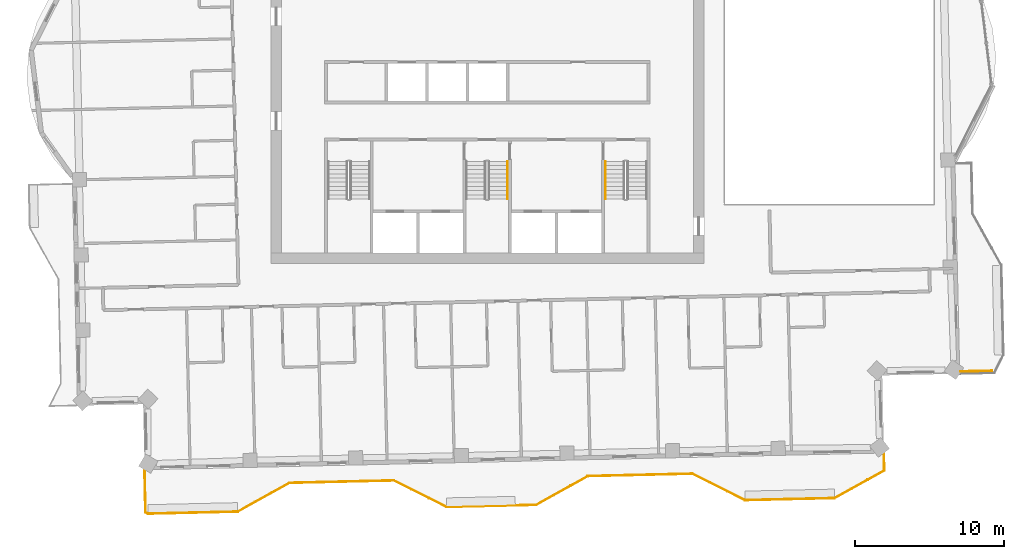
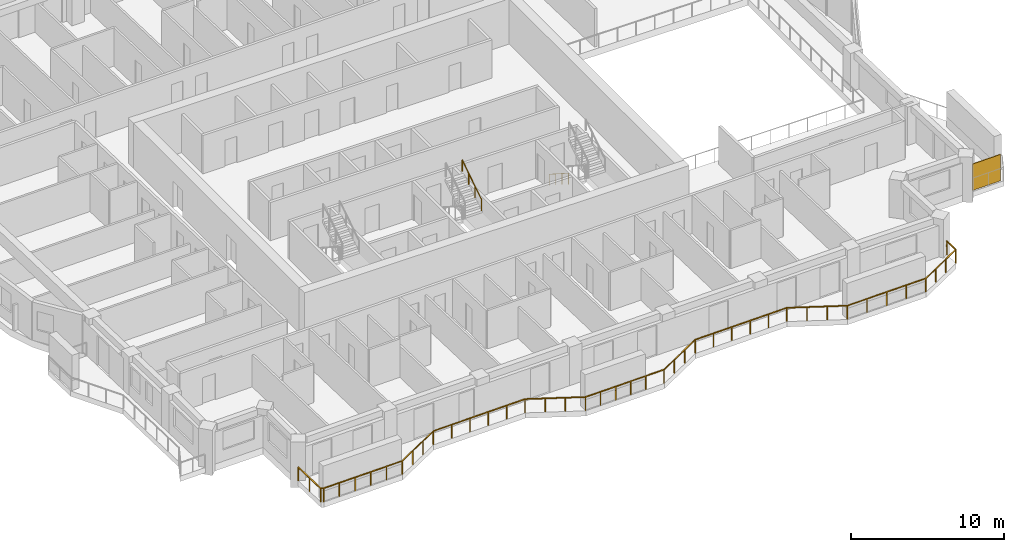
# One storey, part 17 of 19: 3 railings, 1 shading device.
"""IFC4 building model written with IfcOpenShell, lengths in metres."""

from ifc_helpers import new_model, si_unit, direction, frame, origin, origin_2d, place, context, subcontext, project, spatial, rectangle, circle, extrude, material, type_object, element, save


model = new_model("IFC4")

# Units and contexts
model_context = context("Model", 3, precision=1e-05, world=origin(), true_north=direction((0.0, 1.0)))
body_context = subcontext(model_context, "Body", "Model", "MODEL_VIEW")
ifc_project = project(units=[si_unit("LENGTHUNIT", "METRE"), si_unit("AREAUNIT", "SQUARE_METRE"), si_unit("VOLUMEUNIT", "CUBIC_METRE"), si_unit("PLANEANGLEUNIT", "RADIAN"), si_unit("MASSUNIT", "GRAM", prefix="KILO")], contexts=[model_context])

# Site, building, storey
site_placement = place(None, origin())
site = spatial("IfcSite", under=ifc_project, at=site_placement, CompositionType="ELEMENT")
building_placement = place(site_placement, origin())
building = spatial("IfcBuilding", under=site, at=building_placement, Name="Mangrove Gate Tower", CompositionType="ELEMENT")
storey_placement = place(building_placement, frame((0.0, 0.0, 297.89990234375)))
storey = spatial("IfcBuildingStorey", under=building, at=storey_placement, Name="L76", CompositionType="ELEMENT", Elevation=297.89990234375)

# Railing
ifc_material_1 = material(Name="Stainless steel grade 316 with laminated glass infill", Category="steel")
railing_type_1 = type_object("IfcRailingType", Name="Balcony guard 1100", PredefinedType="GUARDRAIL", material=ifc_material_1)
railing_1_placement = place(storey_placement, frame((-22.9619140625, -25.35400390625, 0.0)))
element("IfcRailing", 1, at=railing_1_placement, inside=storey, type_object=railing_type_1, Name="GUARD L76 S1", PredefinedType="GUARDRAIL", context=body_context, shape_type="SweptSolid", body=[
    extrude(rectangle(XDim=0.048095703125, YDim=0.048095703125, at=origin_2d()), frame((0.0, 0.0, 1.076171875), z_axis=(0.022668340677, -0.999743040151, 0.0), x_axis=(0.999743040151, 0.022668340677, 0.0)), (0.0, 0.0, 1.0), 2.82177734375),
    extrude(rectangle(XDim=0.048095703125, YDim=0.048095703125, at=origin_2d()), frame((0.06396484375, -2.821044921875, 1.076171875), z_axis=(0.894427191, -0.4472135955, 0.0), x_axis=(0.4472135955, 0.894427191, 0.0)), (0.0, 0.0, 1.0), 0.18994140625),
    extrude(rectangle(XDim=0.048095703125, YDim=0.048095703125, at=origin_2d()), frame((0.23388671875, -2.906005859375, 1.076171875), z_axis=(0.999739477659, 0.022824916448, 0.0), x_axis=(-0.022824916448, 0.999739477659, 0.0)), (0.0, 0.0, 1.0), 6.00048828125),
    extrude(rectangle(XDim=0.048095703125, YDim=0.048095703125, at=origin_2d()), frame((6.23291015625, -2.76904296875, 1.076171875), z_axis=(0.873361856081, 0.487071933437, 0.0), x_axis=(-0.487071933437, 0.873361856081, 0.0)), (0.0, 0.0, 1.0), 3.958251953125),
    extrude(rectangle(XDim=0.048095703125, YDim=0.048095703125, at=origin_2d()), frame((9.68994140625, -0.841064453125, 1.076171875), z_axis=(0.999741403216, 0.022740419861, 0.0), x_axis=(-0.022740419861, 0.999741403216, 0.0)), (0.0, 0.0, 1.0), 6.999755859375),
    extrude(rectangle(XDim=0.048095703125, YDim=0.048095703125, at=origin_2d()), frame((16.68798828125, -0.681884765625, 1.076171875), z_axis=(0.894476522376, -0.447114919141, 0.0), x_axis=(0.447114919141, 0.894476522376, 0.0)), (0.0, 0.0, 1.0), 3.958740234375),
    extrude(rectangle(XDim=0.048095703125, YDim=0.048095703125, at=origin_2d()), frame((20.22900390625, -2.451904296875, 1.076171875), z_axis=(0.999744377441, 0.022609285172, 0.0), x_axis=(-0.022609285172, 0.999744377441, 0.0)), (0.0, 0.0, 1.0), 4.60009765625),
    extrude(rectangle(XDim=0.048095703125, YDim=0.048095703125, at=origin_2d()), frame((24.827880859375, -2.347900390625, 1.076171875), z_axis=(0.999739219063, 0.022836240226, 0.0), x_axis=(-0.022836240226, 0.999739219063, 0.0)), (0.0, 0.0, 1.0), 1.400390625),
    extrude(rectangle(XDim=0.048095703125, YDim=0.048095703125, at=origin_2d()), frame((26.22802734375, -2.31591796875, 1.076171875), z_axis=(0.873242256246, 0.487286324359, 0.0), x_axis=(-0.487286324359, 0.873242256246, 0.0)), (0.0, 0.0, 1.0), 3.95849609375),
    extrude(rectangle(XDim=0.048095703125, YDim=0.048095703125, at=origin_2d()), frame((29.684814453125, -0.386962890625, 1.076171875), z_axis=(0.999742195543, 0.022705559911, 0.0), x_axis=(-0.022705559911, 0.999742195543, 0.0)), (0.0, 0.0, 1.0), 6.999755859375),
    extrude(rectangle(XDim=0.048095703125, YDim=0.048095703125, at=origin_2d()), frame((36.682861328125, -0.22802734375, 1.076171875), z_axis=(0.894476522376, -0.447114919141, 0.0), x_axis=(0.447114919141, 0.894476522376, 0.0)), (0.0, 0.0, 1.0), 3.958740234375),
    extrude(rectangle(XDim=0.048095703125, YDim=0.048095703125, at=origin_2d()), frame((40.223876953125, -1.998046875, 1.076171875), z_axis=(0.999743094499, 0.022665943652, 0.0), x_axis=(-0.022665943652, 0.999743094499, 0.0)), (0.0, 0.0, 1.0), 5.99951171875),
    extrude(rectangle(XDim=0.048095703125, YDim=0.048095703125, at=origin_2d()), frame((46.221923828125, -1.862060546875, 1.076171875), z_axis=(0.873300431687, 0.487182056336, 0.0), x_axis=(-0.487182056336, 0.873300431687, 0.0)), (0.0, 0.0, 1.0), 3.8095703125),
    extrude(rectangle(XDim=0.048095703125, YDim=0.048095703125, at=origin_2d()), frame((49.548828125, -0.006103515625, 1.076171875), z_axis=(-0.022029649259, 0.999757317829, 0.0), x_axis=(-0.999757317829, -0.022029649259, 0.0)), (0.0, 0.0, 1.0), 1.13037109375),
    extrude(rectangle(XDim=0.0419921875, YDim=0.0419921875, at=origin_2d()), origin(), (0.0, 0.0, 1.0), 1.052001953125),
    extrude(rectangle(XDim=0.0419921875, YDim=0.0419921875, at=origin_2d()), frame((0.031982421875, -1.41064453125, 0.0)), (0.0, 0.0, 1.0), 1.052001953125),
    extrude(rectangle(XDim=0.0419921875, YDim=0.0419921875, at=origin_2d()), frame((0.06396484375, -2.821044921875, 0.0)), (0.0, 0.0, 1.0), 1.052001953125),
    extrude(rectangle(XDim=0.0419921875, YDim=0.0419921875, at=origin_2d()), frame((0.23388671875, -2.906005859375, 0.0)), (0.0, 0.0, 1.0), 1.052001953125),
    extrude(rectangle(XDim=0.0419921875, YDim=0.0419921875, at=origin_2d()), frame((1.43359375, -2.878662109375, 0.0)), (0.0, 0.0, 1.0), 1.052001953125),
    extrude(rectangle(XDim=0.0419921875, YDim=0.0419921875, at=origin_2d()), frame((2.633544921875, -2.851318359375, 0.0)), (0.0, 0.0, 1.0), 1.052001953125),
    extrude(rectangle(XDim=0.0419921875, YDim=0.0419921875, at=origin_2d()), frame((3.833251953125, -2.82373046875, 0.0)), (0.0, 0.0, 1.0), 1.052001953125),
    extrude(rectangle(XDim=0.0419921875, YDim=0.0419921875, at=origin_2d()), frame((5.033203125, -2.79638671875, 0.0)), (0.0, 0.0, 1.0), 1.052001953125),
    extrude(rectangle(XDim=0.0419921875, YDim=0.0419921875, at=origin_2d()), frame((6.23291015625, -2.76904296875, 0.0)), (0.0, 0.0, 1.0), 1.052001953125),
    extrude(rectangle(XDim=0.0419921875, YDim=0.0419921875, at=origin_2d()), frame((7.38525390625, -2.12646484375, 0.0)), (0.0, 0.0, 1.0), 1.052001953125),
    extrude(rectangle(XDim=0.0419921875, YDim=0.0419921875, at=origin_2d()), frame((8.53759765625, -1.483642578125, 0.0)), (0.0, 0.0, 1.0), 1.052001953125),
    extrude(rectangle(XDim=0.0419921875, YDim=0.0419921875, at=origin_2d()), frame((9.68994140625, -0.841064453125, 0.0)), (0.0, 0.0, 1.0), 1.052001953125),
    extrude(rectangle(XDim=0.0419921875, YDim=0.0419921875, at=origin_2d()), frame((11.089599609375, -0.809326171875, 0.0)), (0.0, 0.0, 1.0), 1.052001953125),
    extrude(rectangle(XDim=0.0419921875, YDim=0.0419921875, at=origin_2d()), frame((12.4892578125, -0.77734375, 0.0)), (0.0, 0.0, 1.0), 1.052001953125),
    extrude(rectangle(XDim=0.0419921875, YDim=0.0419921875, at=origin_2d()), frame((13.888671875, -0.74560546875, 0.0)), (0.0, 0.0, 1.0), 1.052001953125),
    extrude(rectangle(XDim=0.0419921875, YDim=0.0419921875, at=origin_2d()), frame((15.288330078125, -0.713623046875, 0.0)), (0.0, 0.0, 1.0), 1.052001953125),
    extrude(rectangle(XDim=0.0419921875, YDim=0.0419921875, at=origin_2d()), frame((16.68798828125, -0.681884765625, 0.0)), (0.0, 0.0, 1.0), 1.052001953125),
    extrude(rectangle(XDim=0.0419921875, YDim=0.0419921875, at=origin_2d()), frame((17.868408203125, -1.27197265625, 0.0)), (0.0, 0.0, 1.0), 1.052001953125),
    extrude(rectangle(XDim=0.0419921875, YDim=0.0419921875, at=origin_2d()), frame((19.048583984375, -1.86181640625, 0.0)), (0.0, 0.0, 1.0), 1.052001953125),
    extrude(rectangle(XDim=0.0419921875, YDim=0.0419921875, at=origin_2d()), frame((20.22900390625, -2.451904296875, 0.0)), (0.0, 0.0, 1.0), 1.052001953125),
    extrude(rectangle(XDim=0.0419921875, YDim=0.0419921875, at=origin_2d()), frame((21.378662109375, -2.42578125, 0.0)), (0.0, 0.0, 1.0), 1.052001953125),
    extrude(rectangle(XDim=0.0419921875, YDim=0.0419921875, at=origin_2d()), frame((22.5283203125, -2.39990234375, 0.0)), (0.0, 0.0, 1.0), 1.052001953125),
    extrude(rectangle(XDim=0.0419921875, YDim=0.0419921875, at=origin_2d()), frame((23.67822265625, -2.3740234375, 0.0)), (0.0, 0.0, 1.0), 1.052001953125),
    extrude(rectangle(XDim=0.0419921875, YDim=0.0419921875, at=origin_2d()), frame((24.827880859375, -2.347900390625, 0.0)), (0.0, 0.0, 1.0), 1.052001953125),
    extrude(rectangle(XDim=0.0419921875, YDim=0.0419921875, at=origin_2d()), frame((26.22802734375, -2.31591796875, 0.0)), (0.0, 0.0, 1.0), 1.052001953125),
    extrude(rectangle(XDim=0.0419921875, YDim=0.0419921875, at=origin_2d()), frame((27.38037109375, -1.6728515625, 0.0)), (0.0, 0.0, 1.0), 1.052001953125),
    extrude(rectangle(XDim=0.0419921875, YDim=0.0419921875, at=origin_2d()), frame((28.532470703125, -1.030029296875, 0.0)), (0.0, 0.0, 1.0), 1.052001953125),
    extrude(rectangle(XDim=0.0419921875, YDim=0.0419921875, at=origin_2d()), frame((29.684814453125, -0.386962890625, 0.0)), (0.0, 0.0, 1.0), 1.052001953125),
    extrude(rectangle(XDim=0.0419921875, YDim=0.0419921875, at=origin_2d()), frame((31.08447265625, -0.355224609375, 0.0)), (0.0, 0.0, 1.0), 1.052001953125),
    extrude(rectangle(XDim=0.0419921875, YDim=0.0419921875, at=origin_2d()), frame((32.484130859375, -0.323486328125, 0.0)), (0.0, 0.0, 1.0), 1.052001953125),
    extrude(rectangle(XDim=0.0419921875, YDim=0.0419921875, at=origin_2d()), frame((33.883544921875, -0.29150390625, 0.0)), (0.0, 0.0, 1.0), 1.052001953125),
    extrude(rectangle(XDim=0.0419921875, YDim=0.0419921875, at=origin_2d()), frame((35.283203125, -0.259765625, 0.0)), (0.0, 0.0, 1.0), 1.052001953125),
    extrude(rectangle(XDim=0.0419921875, YDim=0.0419921875, at=origin_2d()), frame((36.682861328125, -0.22802734375, 0.0)), (0.0, 0.0, 1.0), 1.052001953125),
    extrude(rectangle(XDim=0.0419921875, YDim=0.0419921875, at=origin_2d()), frame((37.86328125, -0.818115234375, 0.0)), (0.0, 0.0, 1.0), 1.052001953125),
    extrude(rectangle(XDim=0.0419921875, YDim=0.0419921875, at=origin_2d()), frame((39.04345703125, -1.407958984375, 0.0)), (0.0, 0.0, 1.0), 1.052001953125),
    extrude(rectangle(XDim=0.0419921875, YDim=0.0419921875, at=origin_2d()), frame((40.223876953125, -1.998046875, 0.0)), (0.0, 0.0, 1.0), 1.052001953125),
    extrude(rectangle(XDim=0.0419921875, YDim=0.0419921875, at=origin_2d()), frame((41.723388671875, -1.964111328125, 0.0)), (0.0, 0.0, 1.0), 1.052001953125),
    extrude(rectangle(XDim=0.0419921875, YDim=0.0419921875, at=origin_2d()), frame((43.222900390625, -1.93017578125, 0.0)), (0.0, 0.0, 1.0), 1.052001953125),
    extrude(rectangle(XDim=0.0419921875, YDim=0.0419921875, at=origin_2d()), frame((44.722412109375, -1.89599609375, 0.0)), (0.0, 0.0, 1.0), 1.052001953125),
    extrude(rectangle(XDim=0.0419921875, YDim=0.0419921875, at=origin_2d()), frame((46.221923828125, -1.862060546875, 0.0)), (0.0, 0.0, 1.0), 1.052001953125),
    extrude(rectangle(XDim=0.0419921875, YDim=0.0419921875, at=origin_2d()), frame((47.330810546875, -1.243408203125, 0.0)), (0.0, 0.0, 1.0), 1.052001953125),
    extrude(rectangle(XDim=0.0419921875, YDim=0.0419921875, at=origin_2d()), frame((48.43994140625, -0.624755859375, 0.0)), (0.0, 0.0, 1.0), 1.052001953125),
    extrude(rectangle(XDim=0.0419921875, YDim=0.0419921875, at=origin_2d()), frame((49.548828125, -0.006103515625, 0.0)), (0.0, 0.0, 1.0), 1.052001953125),
    extrude(rectangle(XDim=0.0419921875, YDim=0.0419921875, at=origin_2d()), frame((49.52392578125, 1.1240234375, 0.0)), (0.0, 0.0, 1.0), 1.052001953125),
])

# Shading device
ifc_material_2 = material(Name="Timber slat screen in teak", Category="wood")
shading_device_type = type_object("IfcShadingDeviceType", Name="Balcony screen 2100", PredefinedType="USERDEFINED", material=ifc_material_2)
shading_device_placement = place(storey_placement, frame((32.735107421875, -18.708984375, 0.0), z_axis=(0.0, 0.0, 1.0), x_axis=(0.999737035917, 0.022931616096, 0.0)))
element("IfcShadingDevice", 2, at=shading_device_placement, inside=storey, type_object=shading_device_type, Name="SCREEN L76 E0", ObjectType="SCREEN", PredefinedType="USERDEFINED", context=body_context, shape_type="SweptSolid", body=[
    extrude(rectangle(XDim=2.156005859375, YDim=0.050048828125, at=origin_2d()), origin(), (0.0, 0.0, 1.0), 2.10009765625),
])

# Railings
ifc_material_3 = material(Name="Stainless steel 316", Category="steel")
railing_type_2 = type_object("IfcRailingType", Name="Core stair handrail 900", PredefinedType="HANDRAIL", material=ifc_material_3)
railing_2_placement = place(storey_placement, frame((1.35009765625, -7.169921875, 1.97998046875)))
element("IfcRailing", 3, at=railing_2_placement, inside=storey, type_object=railing_type_2, Name="L76 ST2 stair handrail 2", PredefinedType="HANDRAIL", context=body_context, shape_type="SweptSolid", body=[
    extrude(circle(Radius=0.02392578125, at=origin_2d()), frame((0.0, 0.0, 0.8759765625), z_axis=(0.0, 0.841162588446, 0.540782303519), x_axis=(-1.0, 0.0, 0.0)), (0.0, 0.0, 1.0), 2.995849609375),
    extrude(circle(Radius=0.02099609375, at=origin_2d()), origin(), (0.0, 0.0, 1.0), 0.851806640625),
    extrude(circle(Radius=0.02099609375, at=origin_2d()), frame((0.0, 0.840087890625, 0.5400390625)), (0.0, 0.0, 1.0), 0.851806640625),
    extrude(circle(Radius=0.02099609375, at=origin_2d()), frame((0.0, 1.679931640625, 1.080078125)), (0.0, 0.0, 1.0), 0.851806640625),
    extrude(circle(Radius=0.02099609375, at=origin_2d()), frame((0.0, 2.52001953125, 1.6201171875)), (0.0, 0.0, 1.0), 0.851806640625),
])
railing_3_placement = place(storey_placement, frame((7.89990234375, -4.64990234375, 0.18017578125)))
element("IfcRailing", 4, at=railing_3_placement, inside=storey, type_object=railing_type_2, Name="L76 ST3 stair handrail 1", PredefinedType="HANDRAIL", context=body_context, shape_type="SweptSolid", body=[
    extrude(circle(Radius=0.02392578125, at=origin_2d()), frame((0.0, 0.0, 0.8759765625), z_axis=(0.0, -0.841199657755, 0.540724639528), x_axis=(1.0, 0.0, 0.0)), (0.0, 0.0, 1.0), 2.995849609375),
    extrude(circle(Radius=0.02099609375, at=origin_2d()), origin(), (0.0, 0.0, 1.0), 0.851806640625),
    extrude(circle(Radius=0.02099609375, at=origin_2d()), frame((0.0, -0.840087890625, 0.5400390625)), (0.0, 0.0, 1.0), 0.851806640625),
    extrude(circle(Radius=0.02099609375, at=origin_2d()), frame((0.0, -1.679931640625, 1.079833984375)), (0.0, 0.0, 1.0), 0.851806640625),
    extrude(circle(Radius=0.02099609375, at=origin_2d()), frame((0.0, -2.52001953125, 1.619873046875)), (0.0, 0.0, 1.0), 0.851806640625),
])

save(model, "model.ifc")
